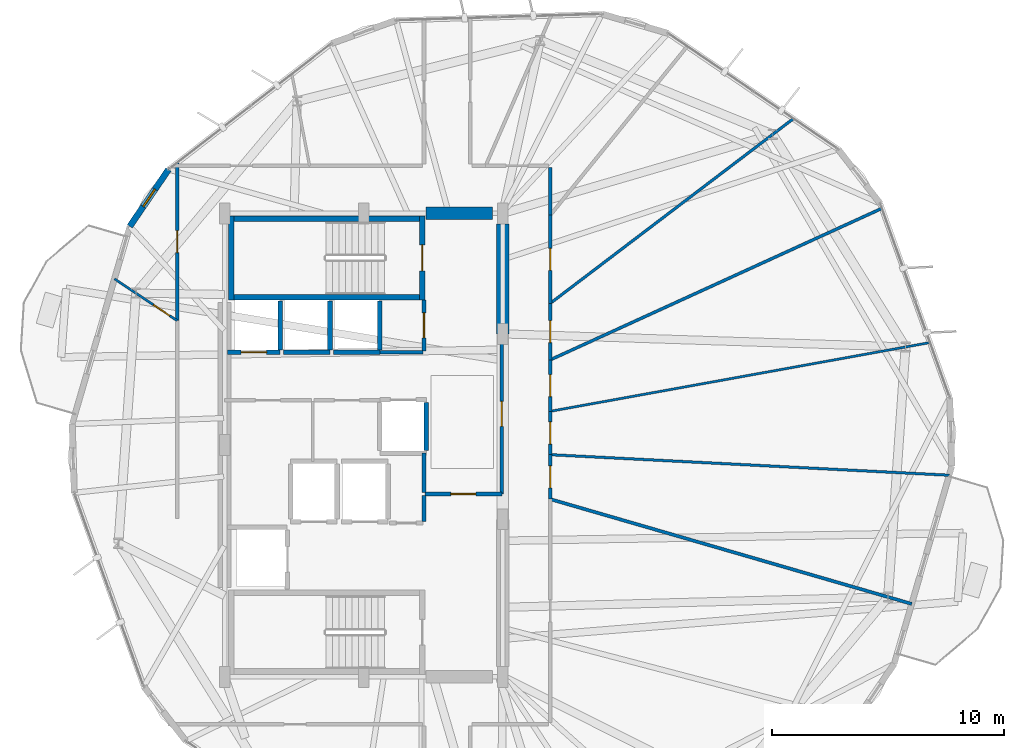
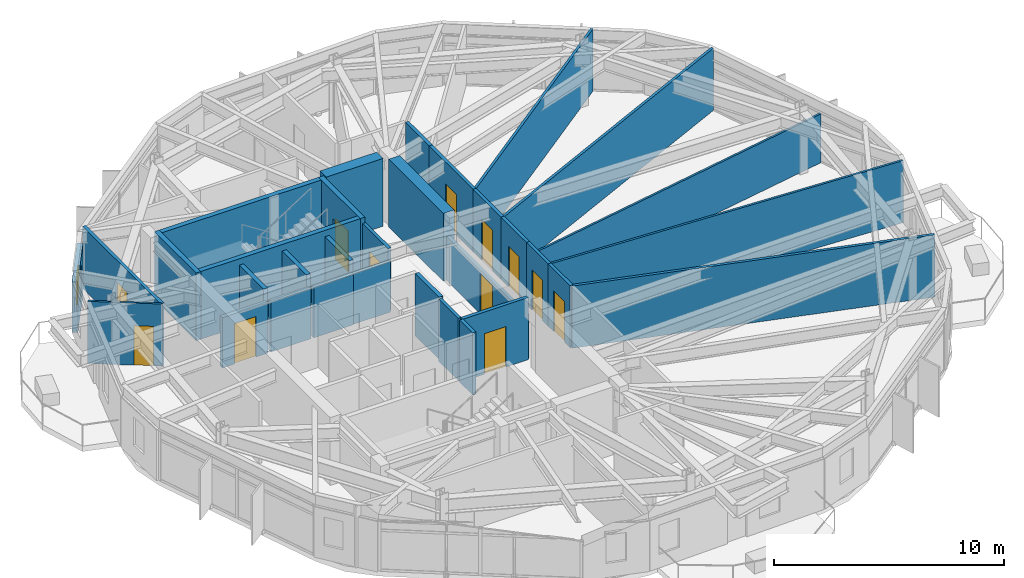
# One storey, part 19 of 23: 33 walls, 12 doors, 1 window, 13 openings.
"""IFC4 building model written with IfcOpenShell, lengths in metres."""

from ifc_helpers import new_model, si_unit, direction, frame, frame_2d, origin, place, context, subcontext, project, spatial, rectangle, extrude, material, layer, layer_set, type_object, element, fill, save


model = new_model("IFC4")

# Units and contexts
model_context = context("Model", 3, precision=1e-05, world=origin(), true_north=direction((0.0, 1.0)))
body_context = subcontext(model_context, "Body", "Model", "MODEL_VIEW")
ifc_project = project(units=[si_unit("LENGTHUNIT", "METRE"), si_unit("AREAUNIT", "SQUARE_METRE"), si_unit("VOLUMEUNIT", "CUBIC_METRE"), si_unit("PLANEANGLEUNIT", "RADIAN"), si_unit("MASSUNIT", "GRAM", prefix="KILO")], contexts=[model_context])

# Site, building, storey
site_placement = place(None, origin())
site = spatial("IfcSite", under=ifc_project, at=site_placement, CompositionType="ELEMENT")
building_placement = place(site_placement, origin())
building = spatial("IfcBuilding", under=site, at=building_placement, Name="Soratama Intermodal Tower", CompositionType="ELEMENT")
storey_placement = place(building_placement, frame((0.0, 0.0, 171.39990234375)))
storey = spatial("IfcBuildingStorey", under=building, at=storey_placement, Name="L42", CompositionType="ELEMENT", Elevation=171.39990234375)

# Wall, opening, window
ifc_material_1 = material(Name="Concrete f'c 42 MPa", Category="concrete")
ifc_layer_1 = layer(ifc_material_1, 0.27001953125)
ifc_layer_set_1 = layer_set([ifc_layer_1], Name="Concrete f'c 42 MPa")
wall_type_1 = type_object("IfcWallType", Name="EW-CRN-270", PredefinedType="SOLIDWALL", material=ifc_layer_set_1)
wall_1_placement = place(storey_placement, frame((30.177978515625, 36.890380859375, 0.0), z_axis=(0.0, 0.0, 1.0), x_axis=(-0.563009904687, -0.826450148058, 0.0)))
wall_1 = element("IfcWall", 1, at=wall_1_placement, inside=storey, type_object=wall_type_1, Name="L42 Corner Closure Wall 03", PredefinedType="SOLIDWALL", context=body_context, shape_type="SweptSolid", body=[
    extrude(rectangle(XDim=2.966552734375, YDim=0.27001953125, at=frame_2d((1.4833984375, 0.0))), origin(), (0.0, 0.0, 1.0), 2.67919921875),
])
opening_1_placement = place(wall_1_placement, frame((1.033203125, 0.0, 0.75)))
opening_1 = element("IfcOpeningElement", 2, at=opening_1_placement, cuts=wall_1, Name="Opening WN-6", PredefinedType="OPENING", context=body_context, shape_type="SweptSolid", body=[
    extrude(rectangle(XDim=0.89990234375, YDim=1.5, at=frame_2d((0.449951171875, 0.75))), frame((0.0, 0.14501953125, 0.0), z_axis=(0.0, -1.0, 0.0), x_axis=(1.0, 0.0, 0.0)), (0.0, 0.0, 1.0), 0.2900390625),
])
ifc_material_2 = material(Name="Double-glazed aluminium window", Category="aluminium")
window_type = type_object("IfcWindowType", Name="WN-FAC-900", PartitioningType="SINGLE_PANEL", PredefinedType="WINDOW", material=ifc_material_2)
window_placement = place(opening_1_placement, origin())
window = element("IfcWindow", 3, at=window_placement, inside=storey, type_object=window_type, Name="L42 Corner Window 03", OverallHeight=1.5, OverallWidth=0.89990234375, PartitioningType="SINGLE_PANEL", PredefinedType="WINDOW", context=body_context, shape_type="SweptSolid", body=[
    extrude(rectangle(XDim=0.89990234375, YDim=1.5, at=frame_2d((0.449951171875, 0.75))), frame((0.0, 0.030029296875, 0.0), z_axis=(0.0, -1.0, 0.0), x_axis=(1.0, 0.0, 0.0)), (0.0, 0.0, 1.0), 0.06005859375),
])
fill(opening_1, window)

# Wall, opening, door
ifc_material_3 = material(Name="Fire-rated gypsum stud partition", Category="concrete")
ifc_layer_2 = layer(ifc_material_3, 0.159912109375)
ifc_layer_set_2 = layer_set([ifc_layer_2], Name="Fire-rated gypsum stud partition")
wall_type_2 = type_object("IfcWallType", Name="IW-PART-R160", PredefinedType="PARTITIONING", material=ifc_layer_set_2)
wall_2_placement = place(storey_placement, frame((44.56005859375, 29.800048828125, 0.0), z_axis=(0.0, 0.0, 1.0), x_axis=(0.0, -1.0, 0.0)))
wall_2 = element("IfcWall", 4, at=wall_2_placement, inside=storey, type_object=wall_type_2, Name="L42 Partition W-L42-TP010", PredefinedType="PARTITIONING", context=body_context, shape_type="SweptSolid", body=[
    extrude(rectangle(XDim=6.91015625, YDim=0.159912109375, at=frame_2d((3.455078125, 0.0))), origin(), (0.0, 0.0, 1.0), 2.340087890625),
])
opening_2_placement = place(wall_2_placement, frame((2.9150390625, 0.0, 0.0)))
opening_2 = element("IfcOpeningElement", 5, at=opening_2_placement, cuts=wall_2, Name="Opening ID-1", PredefinedType="OPENING", context=body_context, shape_type="SweptSolid", body=[
    extrude(rectangle(XDim=1.080078125, YDim=2.14990234375, at=frame_2d((0.5400390625, 1.074951171875))), frame((0.0, 0.08984375, 0.0), z_axis=(0.0, -1.0, 0.0), x_axis=(1.0, 0.0, 0.0)), (0.0, 0.0, 1.0), 0.179931640625),
])
ifc_material_4 = material(Name="Solid hardwood acoustic door", Category="wood")
door_type_1 = type_object("IfcDoorType", Name="DR-LOB-FD60", OperationType="NOTDEFINED", PredefinedType="DOOR", material=ifc_material_4)
door_1_placement = place(opening_2_placement, origin())
door_1 = element("IfcDoor", 6, at=door_1_placement, inside=storey, type_object=door_type_1, Name="L42 Door D-L42-TP003", OperationType="SINGLE_SWING_RIGHT", OverallHeight=2.14990234375, OverallWidth=1.080078125, PredefinedType="DOOR", context=body_context, shape_type="SweptSolid", body=[
    extrude(rectangle(XDim=1.080078125, YDim=2.14990234375, at=frame_2d((0.5400390625, 1.074951171875))), frame((0.0, 0.02490234375, 0.0), z_axis=(0.0, -1.0, 0.0), x_axis=(1.0, 0.0, 0.0)), (0.0, 0.0, 1.0), 0.050048828125),
])
fill(opening_2, door_1)

wall_3_placement = place(storey_placement, frame((30.550048828125, 30.3701171875, 0.0), z_axis=(0.0, 0.0, 1.0), x_axis=(0.0, 1.0, 0.0)))
wall_3 = element("IfcWall", 7, at=wall_3_placement, inside=storey, type_object=wall_type_2, Name="L42 Partition W-L42-TP011", PredefinedType="PARTITIONING", context=body_context, shape_type="SweptSolid", body=[
    extrude(rectangle(XDim=6.808837890625, YDim=0.159912109375, at=frame_2d((3.404296875, 0.0))), origin(), (0.0, 0.0, 1.0), 3.300048828125),
])
opening_3_placement = place(wall_3_placement, frame((2.929931640625, 0.0, 0.0)))
opening_3 = element("IfcOpeningElement", 8, at=opening_3_placement, cuts=wall_3, Name="Opening ID-3", PredefinedType="OPENING", context=body_context, shape_type="SweptSolid", body=[
    extrude(rectangle(XDim=0.949951171875, YDim=2.14990234375, at=frame_2d((0.47509765625, 1.074951171875))), frame((0.0, 0.08984375, 0.0), z_axis=(0.0, -1.0, 0.0), x_axis=(1.0, 0.0, 0.0)), (0.0, 0.0, 1.0), 0.179931640625),
])
ifc_material_5 = material(Name="Solid hardwood acoustic door", Category="wood")
door_type_2 = type_object("IfcDoorType", Name="DR-ROOM-950", OperationType="NOTDEFINED", PredefinedType="DOOR", material=ifc_material_5)
door_2_placement = place(opening_3_placement, origin())
door_2 = element("IfcDoor", 9, at=door_2_placement, inside=storey, type_object=door_type_2, Name="L42 Door D-L42-TP004", OperationType="SINGLE_SWING_LEFT", OverallHeight=2.14990234375, OverallWidth=0.949951171875, PredefinedType="DOOR", context=body_context, shape_type="SweptSolid", body=[
    extrude(rectangle(XDim=0.949951171875, YDim=2.14990234375, at=frame_2d((0.47509765625, 1.074951171875))), frame((0.0, 0.02490234375, 0.0), z_axis=(0.0, -1.0, 0.0), x_axis=(1.0, 0.0, 0.0)), (0.0, 0.0, 1.0), 0.050048828125),
])
fill(opening_3, door_2)

wall_4_placement = place(storey_placement, frame((46.64990234375, 34.9208984375, 0.0), z_axis=(0.0, 0.0, 1.0), x_axis=(0.0, -1.0, 0.0)))
wall_4 = element("IfcWall", 10, at=wall_4_placement, inside=storey, type_object=wall_type_2, Name="L42 Partition W-L42-TP018", PredefinedType="PARTITIONING", context=body_context, shape_type="SweptSolid", body=[
    extrude(rectangle(XDim=3.805908203125, YDim=0.159912109375, at=frame_2d((1.90283203125, 0.0))), origin(), (0.0, 0.0, 1.0), 3.300048828125),
])
opening_4_placement = place(wall_4_placement, frame((1.427978515625, 0.0, 0.0)))
opening_4 = element("IfcOpeningElement", 11, at=opening_4_placement, cuts=wall_4, Name="Opening ID-3", PredefinedType="OPENING", context=body_context, shape_type="SweptSolid", body=[
    extrude(rectangle(XDim=0.949951171875, YDim=2.14990234375, at=frame_2d((0.47509765625, 1.074951171875))), frame((0.0, 0.08984375, 0.0), z_axis=(0.0, -1.0, 0.0), x_axis=(1.0, 0.0, 0.0)), (0.0, 0.0, 1.0), 0.179931640625),
])
door_3_placement = place(opening_4_placement, origin())
door_3 = element("IfcDoor", 12, at=door_3_placement, inside=storey, type_object=door_type_2, Name="L42 Door D-L42-TP008", OperationType="SINGLE_SWING_LEFT", OverallHeight=2.14990234375, OverallWidth=0.949951171875, PredefinedType="DOOR", context=body_context, shape_type="SweptSolid", body=[
    extrude(rectangle(XDim=0.949951171875, YDim=2.14990234375, at=frame_2d((0.47509765625, 1.074951171875))), frame((0.0, 0.02490234375, 0.0), z_axis=(0.0, -1.0, 0.0), x_axis=(1.0, 0.0, 0.0)), (0.0, 0.0, 1.0), 0.050048828125),
])
fill(opening_4, door_3)

wall_5_placement = place(storey_placement, frame((46.64990234375, 31.114990234375, 0.0), z_axis=(0.0, 0.0, 1.0), x_axis=(0.0, -1.0, 0.0)))
wall_5 = element("IfcWall", 13, at=wall_5_placement, inside=storey, type_object=wall_type_2, Name="L42 Partition W-L42-TP026", PredefinedType="PARTITIONING", context=body_context, shape_type="SweptSolid", body=[
    extrude(rectangle(XDim=2.43798828125, YDim=0.159912109375, at=frame_2d((1.218994140625, 0.0))), origin(), (0.0, 0.0, 1.0), 3.300048828125),
])
opening_5_placement = place(wall_5_placement, frame((0.743896484375, 0.0, 0.0)))
opening_5 = element("IfcOpeningElement", 14, at=opening_5_placement, cuts=wall_5, Name="Opening ID-3", PredefinedType="OPENING", context=body_context, shape_type="SweptSolid", body=[
    extrude(rectangle(XDim=0.949951171875, YDim=2.14990234375, at=frame_2d((0.47509765625, 1.074951171875))), frame((0.0, 0.08984375, 0.0), z_axis=(0.0, -1.0, 0.0), x_axis=(1.0, 0.0, 0.0)), (0.0, 0.0, 1.0), 0.179931640625),
])
door_4_placement = place(opening_5_placement, origin())
door_4 = element("IfcDoor", 15, at=door_4_placement, inside=storey, type_object=door_type_2, Name="L42 Door D-L42-TP013", OperationType="SINGLE_SWING_RIGHT", OverallHeight=2.14990234375, OverallWidth=0.949951171875, PredefinedType="DOOR", context=body_context, shape_type="SweptSolid", body=[
    extrude(rectangle(XDim=0.949951171875, YDim=2.14990234375, at=frame_2d((0.47509765625, 1.074951171875))), frame((0.0, 0.02490234375, 0.0), z_axis=(0.0, -1.0, 0.0), x_axis=(1.0, 0.0, 0.0)), (0.0, 0.0, 1.0), 0.050048828125),
])
fill(opening_5, door_4)

wall_6_placement = place(storey_placement, frame((46.64990234375, 28.677001953125, 0.0), z_axis=(0.0, 0.0, 1.0), x_axis=(0.0, -1.0, 0.0)))
wall_6 = element("IfcWall", 16, at=wall_6_placement, inside=storey, type_object=wall_type_2, Name="L42 Partition W-L42-TP027", PredefinedType="PARTITIONING", context=body_context, shape_type="SweptSolid", body=[
    extrude(rectangle(XDim=2.218994140625, YDim=0.159912109375, at=frame_2d((1.109375, 0.0))), origin(), (0.0, 0.0, 1.0), 3.300048828125),
])
opening_6_placement = place(wall_6_placement, frame((0.635009765625, 0.0, 0.0)))
opening_6 = element("IfcOpeningElement", 17, at=opening_6_placement, cuts=wall_6, Name="Opening ID-3", PredefinedType="OPENING", context=body_context, shape_type="SweptSolid", body=[
    extrude(rectangle(XDim=0.949951171875, YDim=2.14990234375, at=frame_2d((0.47509765625, 1.074951171875))), frame((0.0, 0.08984375, 0.0), z_axis=(0.0, -1.0, 0.0), x_axis=(1.0, 0.0, 0.0)), (0.0, 0.0, 1.0), 0.179931640625),
])
door_5_placement = place(opening_6_placement, origin())
door_5 = element("IfcDoor", 18, at=door_5_placement, inside=storey, type_object=door_type_2, Name="L42 Door D-L42-TP014", OperationType="SINGLE_SWING_LEFT", OverallHeight=2.14990234375, OverallWidth=0.949951171875, PredefinedType="DOOR", context=body_context, shape_type="SweptSolid", body=[
    extrude(rectangle(XDim=0.949951171875, YDim=2.14990234375, at=frame_2d((0.47509765625, 1.074951171875))), frame((0.0, 0.02490234375, 0.0), z_axis=(0.0, -1.0, 0.0), x_axis=(1.0, 0.0, 0.0)), (0.0, 0.0, 1.0), 0.050048828125),
])
fill(opening_6, door_5)

wall_7_placement = place(storey_placement, frame((41.199951171875, 29.070068359375, 0.0), z_axis=(0.0, 0.0, 1.0), x_axis=(0.0, 1.0, 0.0)))
wall_7 = element("IfcWall", 19, at=wall_7_placement, inside=storey, type_object=wall_type_2, Name="L42 Partition W-L42-TP028", PredefinedType="PARTITIONING", context=body_context, shape_type="SweptSolid", body=[
    extrude(rectangle(XDim=2.18994140625, YDim=0.159912109375, at=frame_2d((1.094970703125, 0.0))), origin(), (0.0, 0.0, 1.0), 3.300048828125),
])
opening_7_placement = place(wall_7_placement, frame((0.554931640625, 0.0, 0.0)))
opening_7 = element("IfcOpeningElement", 20, at=opening_7_placement, cuts=wall_7, Name="Opening ID-1", PredefinedType="OPENING", context=body_context, shape_type="SweptSolid", body=[
    extrude(rectangle(XDim=1.080078125, YDim=2.14990234375, at=frame_2d((0.5400390625, 1.074951171875))), frame((0.0, 0.08984375, 0.0), z_axis=(0.0, -1.0, 0.0), x_axis=(1.0, 0.0, 0.0)), (0.0, 0.0, 1.0), 0.179931640625),
])
door_6_placement = place(opening_7_placement, origin())
door_6 = element("IfcDoor", 21, at=door_6_placement, inside=storey, type_object=door_type_1, Name="L42 Door D-L42-TP015", OperationType="SINGLE_SWING_RIGHT", OverallHeight=2.14990234375, OverallWidth=1.080078125, PredefinedType="DOOR", context=body_context, shape_type="SweptSolid", body=[
    extrude(rectangle(XDim=1.080078125, YDim=2.14990234375, at=frame_2d((0.5400390625, 1.074951171875))), frame((0.0, 0.02490234375, 0.0), z_axis=(0.0, -1.0, 0.0), x_axis=(1.0, 0.0, 0.0)), (0.0, 0.0, 1.0), 0.050048828125),
])
fill(opening_7, door_6)

# Wall
wall_8_placement = place(storey_placement, frame((46.64990234375, 36.97998046875, 0.0), z_axis=(0.0, 0.0, 1.0), x_axis=(0.0, -1.0, 0.0)))
element("IfcWall", 22, at=wall_8_placement, inside=storey, type_object=wall_type_2, Name="L42 Partition W-L42-TP029", PredefinedType="PARTITIONING", context=body_context, shape_type="SweptSolid", body=[
    extrude(rectangle(XDim=2.05908203125, YDim=0.159912109375, at=frame_2d((1.029541015625, 0.0))), origin(), (0.0, 0.0, 1.0), 3.300048828125),
])

# Wall, opening, door
wall_9_placement = place(storey_placement, frame((46.64990234375, 24.5859375, 0.0), z_axis=(0.0, 0.0, 1.0), x_axis=(0.0, -1.0, 0.0)))
wall_9 = element("IfcWall", 23, at=wall_9_placement, inside=storey, type_object=wall_type_2, Name="L42 Partition W-L42-TP030", PredefinedType="PARTITIONING", context=body_context, shape_type="SweptSolid", body=[
    extrude(rectangle(XDim=1.91796875, YDim=0.159912109375, at=frame_2d((0.958984375, 0.0))), origin(), (0.0, 0.0, 1.0), 3.300048828125),
])
opening_8_placement = place(wall_9_placement, frame((0.48388671875, 0.0, 0.0)))
opening_8 = element("IfcOpeningElement", 24, at=opening_8_placement, cuts=wall_9, Name="Opening ID-3", PredefinedType="OPENING", context=body_context, shape_type="SweptSolid", body=[
    extrude(rectangle(XDim=0.949951171875, YDim=2.14990234375, at=frame_2d((0.47509765625, 1.074951171875))), frame((0.0, 0.08984375, 0.0), z_axis=(0.0, -1.0, 0.0), x_axis=(1.0, 0.0, 0.0)), (0.0, 0.0, 1.0), 0.179931640625),
])
door_7_placement = place(opening_8_placement, origin())
door_7 = element("IfcDoor", 25, at=door_7_placement, inside=storey, type_object=door_type_2, Name="L42 Door D-L42-TP016", OperationType="SINGLE_SWING_LEFT", OverallHeight=2.14990234375, OverallWidth=0.949951171875, PredefinedType="DOOR", context=body_context, shape_type="SweptSolid", body=[
    extrude(rectangle(XDim=0.949951171875, YDim=2.14990234375, at=frame_2d((0.47509765625, 1.074951171875))), frame((0.0, 0.02490234375, 0.0), z_axis=(0.0, -1.0, 0.0), x_axis=(1.0, 0.0, 0.0)), (0.0, 0.0, 1.0), 0.050048828125),
])
fill(opening_8, door_7)

wall_10_placement = place(storey_placement, frame((46.64990234375, 26.4580078125, 0.0), z_axis=(0.0, 0.0, 1.0), x_axis=(0.0, -1.0, 0.0)))
wall_10 = element("IfcWall", 26, at=wall_10_placement, inside=storey, type_object=wall_type_2, Name="L42 Partition W-L42-TP031", PredefinedType="PARTITIONING", context=body_context, shape_type="SweptSolid", body=[
    extrude(rectangle(XDim=1.8720703125, YDim=0.159912109375, at=frame_2d((0.93603515625, 0.0))), origin(), (0.0, 0.0, 1.0), 3.300048828125),
])
opening_9_placement = place(wall_10_placement, frame((0.4609375, 0.0, 0.0)))
opening_9 = element("IfcOpeningElement", 27, at=opening_9_placement, cuts=wall_10, Name="Opening ID-3", PredefinedType="OPENING", context=body_context, shape_type="SweptSolid", body=[
    extrude(rectangle(XDim=0.949951171875, YDim=2.14990234375, at=frame_2d((0.47509765625, 1.074951171875))), frame((0.0, 0.08984375, 0.0), z_axis=(0.0, -1.0, 0.0), x_axis=(1.0, 0.0, 0.0)), (0.0, 0.0, 1.0), 0.179931640625),
])
door_8_placement = place(opening_9_placement, origin())
door_8 = element("IfcDoor", 28, at=door_8_placement, inside=storey, type_object=door_type_2, Name="L42 Door D-L42-TP017", OperationType="SINGLE_SWING_RIGHT", OverallHeight=2.14990234375, OverallWidth=0.949951171875, PredefinedType="DOOR", context=body_context, shape_type="SweptSolid", body=[
    extrude(rectangle(XDim=0.949951171875, YDim=2.14990234375, at=frame_2d((0.47509765625, 1.074951171875))), frame((0.0, 0.02490234375, 0.0), z_axis=(0.0, -1.0, 0.0), x_axis=(1.0, 0.0, 0.0)), (0.0, 0.0, 1.0), 0.050048828125),
])
fill(opening_9, door_8)

# Walls
wall_11_placement = place(storey_placement, frame((39.300048828125, 29.010009765625, 0.0), z_axis=(0.0, 0.0, 1.0), x_axis=(1.0, 0.0, 0.0)))
element("IfcWall", 29, at=wall_11_placement, inside=storey, type_object=wall_type_2, Name="L42 Partition W-L42-TP032", PredefinedType="PARTITIONING", context=body_context, shape_type="SweptSolid", body=[
    extrude(rectangle(XDim=1.85986328125, YDim=0.159912109375, at=frame_2d((0.929931640625, 0.0))), origin(), (0.0, 0.0, 1.0), 2.674072265625),
])
wall_12_placement = place(storey_placement, frame((41.199951171875, 22.9599609375, 0.0), z_axis=(0.0, 0.0, 1.0), x_axis=(0.0, 1.0, 0.0)))
element("IfcWall", 30, at=wall_12_placement, inside=storey, type_object=wall_type_2, Name="L42 Partition W-L42-TP033", PredefinedType="PARTITIONING", context=body_context, shape_type="SweptSolid", body=[
    extrude(rectangle(XDim=1.68994140625, YDim=0.159912109375, at=frame_2d((0.844970703125, 0.0))), origin(), (0.0, 0.0, 1.0), 3.300048828125),
])

# Wall, opening, door
ifc_material_6 = material(Name="Fire-rated gypsum stud partition", Category="concrete")
ifc_layer_3 = layer(ifc_material_6, 0.169921875)
ifc_layer_set_3 = layer_set([ifc_layer_3], Name="Fire-rated gypsum stud partition")
wall_type_3 = type_object("IfcWallType", Name="IW-PART-R170", PredefinedType="PARTITIONING", material=ifc_layer_set_3)
wall_13_placement = place(storey_placement, frame((41.239990234375, 22.889892578125, 0.0), z_axis=(0.0, 0.0, 1.0), x_axis=(1.0, 0.0, 0.0)))
wall_13 = element("IfcWall", 31, at=wall_13_placement, inside=storey, type_object=wall_type_3, Name="L42 Partition W-L42-TP020", PredefinedType="PARTITIONING", context=body_context, shape_type="SweptSolid", body=[
    extrude(rectangle(XDim=3.320068359375, YDim=0.169921875, at=frame_2d((1.66015625, 0.0))), origin(), (0.0, 0.0, 1.0), 3.300048828125),
])
opening_10_placement = place(wall_13_placement, frame((1.1201171875, 0.0, 0.0)))
opening_10 = element("IfcOpeningElement", 32, at=opening_10_placement, cuts=wall_13, Name="Opening ID-0", PredefinedType="OPENING", context=body_context, shape_type="SweptSolid", body=[
    extrude(rectangle(XDim=1.080078125, YDim=2.14990234375, at=frame_2d((0.5400390625, 1.074951171875))), frame((0.0, 0.094970703125, 0.0), z_axis=(0.0, -1.0, 0.0), x_axis=(1.0, 0.0, 0.0)), (0.0, 0.0, 1.0), 0.18994140625),
])
ifc_material_7 = material(Name="Solid hardwood acoustic door", Category="wood")
door_type_3 = type_object("IfcDoorType", Name="DR-LOB-FD90", OperationType="NOTDEFINED", PredefinedType="DOOR", material=ifc_material_7)
door_9_placement = place(opening_10_placement, origin())
door_9 = element("IfcDoor", 33, at=door_9_placement, inside=storey, type_object=door_type_3, Name="L42 Door D-L42-TP010", OperationType="SINGLE_SWING_LEFT", OverallHeight=2.14990234375, OverallWidth=1.080078125, PredefinedType="DOOR", context=body_context, shape_type="SweptSolid", body=[
    extrude(rectangle(XDim=1.080078125, YDim=2.14990234375, at=frame_2d((0.5400390625, 1.074951171875))), frame((0.0, 0.02490234375, 0.0), z_axis=(0.0, -1.0, 0.0), x_axis=(1.0, 0.0, 0.0)), (0.0, 0.0, 1.0), 0.050048828125),
])
fill(opening_10, door_9)

# Walls
wall_14_placement = place(storey_placement, frame((41.199951171875, 21.699951171875, 0.0), z_axis=(0.0, 0.0, 1.0), x_axis=(0.0, 1.0, 0.0)))
element("IfcWall", 34, at=wall_14_placement, inside=storey, type_object=wall_type_3, Name="L42 Partition W-L42-TP035", PredefinedType="PARTITIONING", context=body_context, shape_type="SweptSolid", body=[
    extrude(rectangle(XDim=1.1201171875, YDim=0.169921875, at=frame_2d((0.56005859375, 0.0))), origin(), (0.0, 0.0, 1.0), 3.300048828125),
])
ifc_material_8 = material(Name="Fire-rated gypsum stud partition", Category="concrete")
ifc_layer_4 = layer(ifc_material_8, 0.10009765625)
ifc_layer_set_4 = layer_set([ifc_layer_4], Name="Fire-rated gypsum stud partition")
wall_type_4 = type_object("IfcWallType", Name="IW-PART-S100", PredefinedType="PARTITIONING", material=ifc_layer_set_4)
wall_15_placement = place(storey_placement, frame((46.64990234375, 26.4580078125, 0.0), z_axis=(0.0, 0.0, 1.0), x_axis=(0.984008673772, 0.178120548904, 0.0)))
element("IfcWall", 35, at=wall_15_placement, inside=storey, type_object=wall_type_4, Name="L42 Partition W-L42-TP002", PredefinedType="PARTITIONING", context=body_context, shape_type="SweptSolid", body=[
    extrude(rectangle(XDim=16.657470703125, YDim=0.10009765625, at=frame_2d((8.32861328125, 0.0))), origin(), (0.0, 0.0, 1.0), 2.59521484375),
])

# Wall, opening, door
wall_16_placement = place(storey_placement, frame((30.550048828125, 30.3701171875, 0.0), z_axis=(0.0, 0.0, 1.0), x_axis=(-0.831784371752, 0.555098873092, 0.0)))
wall_16 = element("IfcWall", 36, at=wall_16_placement, inside=storey, type_object=wall_type_4, Name="L42 Partition W-L42-TP022", PredefinedType="PARTITIONING", context=body_context, shape_type="SweptSolid", body=[
    extrude(rectangle(XDim=3.249755859375, YDim=0.10009765625, at=frame_2d((1.625, 0.0))), origin(), (0.0, 0.0, 1.0), 3.300048828125),
])
opening_11_placement = place(wall_16_placement, frame((0.386962890625, 0.0, 0.0)))
opening_11 = element("IfcOpeningElement", 37, at=opening_11_placement, cuts=wall_16, Name="Opening ID-4", PredefinedType="OPENING", context=body_context, shape_type="SweptSolid", body=[
    extrude(rectangle(XDim=0.85009765625, YDim=2.10009765625, at=frame_2d((0.425048828125, 1.050048828125))), frame((0.0, 0.06005859375, 0.0), z_axis=(0.0, -1.0, 0.0), x_axis=(1.0, 0.0, 0.0)), (0.0, 0.0, 1.0), 0.1201171875),
])
ifc_material_9 = material(Name="Solid hardwood acoustic door", Category="wood")
door_type_4 = type_object("IfcDoorType", Name="DR-BATH-850", OperationType="NOTDEFINED", PredefinedType="DOOR", material=ifc_material_9)
door_10_placement = place(opening_11_placement, origin())
door_10 = element("IfcDoor", 38, at=door_10_placement, inside=storey, type_object=door_type_4, Name="L42 Door D-L42-TP019", OperationType="SINGLE_SWING_LEFT", OverallHeight=2.10009765625, OverallWidth=0.85009765625, PredefinedType="DOOR", context=body_context, shape_type="SweptSolid", body=[
    extrude(rectangle(XDim=0.85009765625, YDim=2.10009765625, at=frame_2d((0.425048828125, 1.050048828125))), frame((0.0, 0.02490234375, 0.0), z_axis=(0.0, -1.0, 0.0), x_axis=(1.0, 0.0, 0.0)), (0.0, 0.0, 1.0), 0.050048828125),
])
fill(opening_11, door_10)

# Walls
ifc_material_10 = material(Name="Fire-rated gypsum stud partition", Category="concrete")
ifc_layer_5 = layer(ifc_material_10, 0.110107421875)
ifc_layer_set_5 = layer_set([ifc_layer_5], Name="Fire-rated gypsum stud partition")
wall_type_5 = type_object("IfcWallType", Name="IW-PART-S110", PredefinedType="PARTITIONING", material=ifc_layer_set_5)
wall_17_placement = place(storey_placement, frame((63.865966796875, 23.698974609375, 0.0), z_axis=(0.0, 0.0, 1.0), x_axis=(-0.998675507062, 0.051451254551, 0.0)))
element("IfcWall", 39, at=wall_17_placement, inside=storey, type_object=wall_type_5, Name="L42 Partition W-L42-TP001", PredefinedType="PARTITIONING", context=body_context, shape_type="SweptSolid", body=[
    extrude(rectangle(XDim=17.239013671875, YDim=0.110107421875, at=frame_2d((8.61962890625, 0.0))), origin(), (0.0, 0.0, 1.0), 3.300048828125),
])
ifc_material_11 = material(Name="Fire-rated gypsum stud partition", Category="concrete")
ifc_layer_6 = layer(ifc_material_11, 0.1201171875)
ifc_layer_set_6 = layer_set([ifc_layer_6], Name="Fire-rated gypsum stud partition")
wall_type_6 = type_object("IfcWallType", Name="IW-PART-S120", PredefinedType="PARTITIONING", material=ifc_layer_set_6)
wall_18_placement = place(storey_placement, frame((46.64990234375, 31.114990234375, 0.0), z_axis=(0.0, 0.0, 1.0), x_axis=(0.79632035824, 0.604875100375, 0.0)))
element("IfcWall", 40, at=wall_18_placement, inside=storey, type_object=wall_type_6, Name="L42 Partition W-L42-TP005", PredefinedType="PARTITIONING", context=body_context, shape_type="SweptSolid", body=[
    extrude(rectangle(XDim=13.174560546875, YDim=0.1201171875, at=frame_2d((6.58740234375, 0.0))), origin(), (0.0, 0.0, 1.0), 3.300048828125),
])
ifc_material_12 = material(Name="Fire-rated gypsum stud partition", Category="concrete")
ifc_layer_7 = layer(ifc_material_12, 0.1298828125)
ifc_layer_set_7 = layer_set([ifc_layer_7], Name="Fire-rated gypsum stud partition")
wall_type_7 = type_object("IfcWallType", Name="IW-PART-S130", PredefinedType="PARTITIONING", material=ifc_layer_set_7)
wall_19_placement = place(storey_placement, frame((46.64990234375, 28.677001953125, 0.0), z_axis=(0.0, 0.0, 1.0), x_axis=(0.909594452682, 0.41549721016, 0.0)))
element("IfcWall", 41, at=wall_19_placement, inside=storey, type_object=wall_type_7, Name="L42 Partition W-L42-TP004", PredefinedType="PARTITIONING", context=body_context, shape_type="SweptSolid", body=[
    extrude(rectangle(XDim=15.735595703125, YDim=0.1298828125, at=frame_2d((7.86767578125, 0.0))), origin(), (0.0, 0.0, 1.0), 3.300048828125),
])
ifc_material_13 = material(Name="Fire-rated gypsum stud partition", Category="concrete")
ifc_layer_8 = layer(ifc_material_13, 0.139892578125)
ifc_layer_set_8 = layer_set([ifc_layer_8], Name="Fire-rated gypsum stud partition")
wall_type_8 = type_object("IfcWallType", Name="IW-PART-S140", PredefinedType="PARTITIONING", material=ifc_layer_set_8)
wall_20_placement = place(storey_placement, frame((46.64990234375, 22.66796875, 0.0), z_axis=(0.0, 0.0, 1.0), x_axis=(0.960481163068, -0.278344993473, 0.0)))
element("IfcWall", 42, at=wall_20_placement, inside=storey, type_object=wall_type_8, Name="L42 Partition W-L42-TP003", PredefinedType="PARTITIONING", context=body_context, shape_type="SweptSolid", body=[
    extrude(rectangle(XDim=16.239013671875, YDim=0.139892578125, at=frame_2d((8.11962890625, 0.0))), origin(), (0.0, 0.0, 1.0), 3.300048828125),
])
ifc_material_14 = material(Name="Concrete f'c 42 MPa", Category="concrete")
ifc_layer_9 = layer(ifc_material_14, 0.199951171875)
ifc_layer_set_9 = layer_set([ifc_layer_9], Name="Concrete f'c 42 MPa")
wall_type_9 = type_object("IfcWallType", Name="IW-SHAFT-200", PredefinedType="SOLIDWALL", material=ifc_layer_set_9)
wall_21_placement = place(storey_placement, frame((41.300048828125, 24.760009765625, 0.0), z_axis=(0.0, 0.0, 1.0), x_axis=(0.0, 1.0, 0.0)))
element("IfcWall", 43, at=wall_21_placement, inside=storey, type_object=wall_type_9, Name="L42 PL-M1 Hoistway Wall E", PredefinedType="SOLIDWALL", context=body_context, shape_type="SweptSolid", body=[
    extrude(rectangle(XDim=2.080078125, YDim=0.199951171875, at=frame_2d((1.0400390625, 0.0))), origin(), (0.0, 0.0, 1.0), 3.300048828125),
])

# Wall, opening, door
wall_22_placement = place(storey_placement, frame((32.719970703125, 29.0, 0.0), z_axis=(0.0, 0.0, 1.0), x_axis=(1.0, 0.0, 0.0)))
wall_22 = element("IfcWall", 44, at=wall_22_placement, inside=storey, type_object=wall_type_9, Name="L42 PL-M2 Hoistway Wall S", PredefinedType="SOLIDWALL", context=body_context, shape_type="SweptSolid", body=[
    extrude(rectangle(XDim=2.280029296875, YDim=0.199951171875, at=frame_2d((1.14013671875, 0.0))), origin(), (0.0, 0.0, 1.0), 2.674072265625),
])
opening_12_placement = place(wall_22_placement, frame((0.590087890625, 0.0, 0.0)))
opening_12 = element("IfcOpeningElement", 45, at=opening_12_placement, cuts=wall_22, Name="Opening LD-1", PredefinedType="OPENING", context=body_context, shape_type="SweptSolid", body=[
    extrude(rectangle(XDim=1.10009765625, YDim=2.14990234375, at=frame_2d((0.550048828125, 1.074951171875))), frame((0.0, 0.10986328125, 0.0), z_axis=(0.0, -1.0, 0.0), x_axis=(1.0, 0.0, 0.0)), (0.0, 0.0, 1.0), 0.219970703125),
])
ifc_material_15 = material(Name="Steel fire door", Category="steel")
door_type_5 = type_object("IfcDoorType", Name="DR-LIFT-SLIDE", OperationType="NOTDEFINED", PredefinedType="DOOR", material=ifc_material_15)
door_11_placement = place(opening_12_placement, origin())
door_11 = element("IfcDoor", 46, at=door_11_placement, inside=storey, type_object=door_type_5, Name="L42 PL-M2 Sliding Landing Door", OperationType="SLIDING_TO_LEFT", OverallHeight=2.14990234375, OverallWidth=1.10009765625, PredefinedType="DOOR", context=body_context, shape_type="SweptSolid", body=[
    extrude(rectangle(XDim=1.10009765625, YDim=2.14990234375, at=frame_2d((0.550048828125, 1.074951171875))), frame((0.0, 0.02490234375, 0.0), z_axis=(0.0, -1.0, 0.0), x_axis=(1.0, 0.0, 0.0)), (0.0, 0.0, 1.0), 0.050048828125),
])
fill(opening_12, door_11)

# Walls
wall_23_placement = place(storey_placement, frame((35.0, 29.110107421875, 0.0), z_axis=(0.0, 0.0, 1.0), x_axis=(0.0, 1.0, 0.0)))
element("IfcWall", 47, at=wall_23_placement, inside=storey, type_object=wall_type_9, Name="L42 PL-M2 Hoistway Wall E", PredefinedType="SOLIDWALL", context=body_context, shape_type="SweptSolid", body=[
    extrude(rectangle(XDim=2.099853515625, YDim=0.199951171875, at=frame_2d((1.0498046875, 0.0))), origin(), (0.0, 0.0, 1.0), 3.300048828125),
])
wall_24_placement = place(storey_placement, frame((35.14990234375, 29.0, 0.0), z_axis=(0.0, 0.0, 1.0), x_axis=(1.0, 0.0, 0.0)))
element("IfcWall", 48, at=wall_24_placement, inside=storey, type_object=wall_type_9, Name="L42 PL-H1 Hoistway Wall S", PredefinedType="SOLIDWALL", context=body_context, shape_type="SweptSolid", body=[
    extrude(rectangle(XDim=2.0, YDim=0.199951171875, at=frame_2d((1.0, 0.0))), origin(), (0.0, 0.0, 1.0), 2.674072265625),
])
wall_25_placement = place(storey_placement, frame((37.14990234375, 29.110107421875, 0.0), z_axis=(0.0, 0.0, 1.0), x_axis=(0.0, 1.0, 0.0)))
element("IfcWall", 49, at=wall_25_placement, inside=storey, type_object=wall_type_9, Name="L42 PL-H1 Hoistway Wall E", PredefinedType="SOLIDWALL", context=body_context, shape_type="SweptSolid", body=[
    extrude(rectangle(XDim=2.099853515625, YDim=0.199951171875, at=frame_2d((1.0498046875, 0.0))), origin(), (0.0, 0.0, 1.0), 3.300048828125),
])
wall_26_placement = place(storey_placement, frame((37.300048828125, 29.0, 0.0), z_axis=(0.0, 0.0, 1.0), x_axis=(1.0, 0.0, 0.0)))
element("IfcWall", 50, at=wall_26_placement, inside=storey, type_object=wall_type_9, Name="L42 PL-H2 Hoistway Wall S", PredefinedType="SOLIDWALL", context=body_context, shape_type="SweptSolid", body=[
    extrude(rectangle(XDim=2.0, YDim=0.199951171875, at=frame_2d((1.0, 0.0))), origin(), (0.0, 0.0, 1.0), 2.674072265625),
])
wall_27_placement = place(storey_placement, frame((39.300048828125, 29.110107421875, 0.0), z_axis=(0.0, 0.0, 1.0), x_axis=(0.0, 1.0, 0.0)))
element("IfcWall", 51, at=wall_27_placement, inside=storey, type_object=wall_type_9, Name="L42 PL-H2 Hoistway Wall E", PredefinedType="SOLIDWALL", context=body_context, shape_type="SweptSolid", body=[
    extrude(rectangle(XDim=2.099853515625, YDim=0.199951171875, at=frame_2d((1.0498046875, 0.0))), origin(), (0.0, 0.0, 1.0), 3.300048828125),
])
ifc_material_16 = material(Name="Concrete f'c 56 MPa", Category="concrete")
ifc_layer_10 = layer(ifc_material_16, 0.550048828125)
ifc_layer_set_10 = layer_set([ifc_layer_10], Name="Concrete f'c 56 MPa")
wall_type_10 = type_object("IfcWallType", Name="SW-CORE-550", PredefinedType="SHEAR", material=ifc_layer_set_10)
wall_28_placement = place(storey_placement, frame((41.300048828125, 35.0, 0.0), z_axis=(0.0, 0.0, 1.0), x_axis=(1.0, 0.0, 0.0)))
element("IfcWall", 52, at=wall_28_placement, inside=storey, type_object=wall_type_10, Name="L42 Core Shear Wall CW-NE", PredefinedType="SHEAR", context=body_context, shape_type="SweptSolid", body=[
    extrude(rectangle(XDim=2.849853515625, YDim=0.550048828125, at=frame_2d((1.4248046875, 0.0))), origin(), (0.0, 0.0, 1.0), 3.60009765625),
])
wall_29_placement = place(storey_placement, frame((44.60009765625, 29.800048828125, 0.0), z_axis=(0.0, 0.0, 1.0), x_axis=(0.0, 1.0, 0.0)))
element("IfcWall", 53, at=wall_29_placement, inside=storey, type_object=wall_type_10, Name="L42 Core Shear Wall CW-EN", PredefinedType="SHEAR", context=body_context, shape_type="SweptSolid", body=[
    extrude(rectangle(XDim=4.75, YDim=0.550048828125, at=frame_2d((2.375, 0.0))), origin(), (0.0, 0.0, 1.0), 3.60009765625),
])
ifc_material_17 = material(Name="Concrete f'c 56 MPa", Category="concrete")
ifc_layer_11 = layer(ifc_material_17, 0.239990234375)
ifc_layer_set_11 = layer_set([ifc_layer_11], Name="Concrete f'c 56 MPa")
wall_type_11 = type_object("IfcWallType", Name="SW-STAIR-240", PredefinedType="SHEAR", material=ifc_layer_set_11)
wall_30_placement = place(storey_placement, frame((32.8798828125, 31.260009765625, 0.0), z_axis=(0.0, 0.0, 1.0), x_axis=(0.0, 1.0, 0.0)))
element("IfcWall", 54, at=wall_30_placement, inside=storey, type_object=wall_type_11, Name="L42 ST-2 Shaft Shear Wall W", PredefinedType="SHEAR", context=body_context, shape_type="SweptSolid", body=[
    extrude(rectangle(XDim=3.6298828125, YDim=0.239990234375, at=frame_2d((1.81494140625, 0.0))), origin(), (0.0, 0.0, 1.0), 3.60009765625),
])

# Wall, opening, door
wall_31_placement = place(storey_placement, frame((41.1201171875, 31.260009765625, 0.0), z_axis=(0.0, 0.0, 1.0), x_axis=(0.0, 1.0, 0.0)))
wall_31 = element("IfcWall", 55, at=wall_31_placement, inside=storey, type_object=wall_type_11, Name="L42 ST-2 Shaft Shear Wall E", PredefinedType="SHEAR", context=body_context, shape_type="SweptSolid", body=[
    extrude(rectangle(XDim=3.6298828125, YDim=0.239990234375, at=frame_2d((1.81494140625, 0.0))), origin(), (0.0, 0.0, 1.0), 3.60009765625),
])
opening_13_placement = place(wall_31_placement, frame((1.2548828125, 0.0, 0.0)))
opening_13 = element("IfcOpeningElement", 56, at=opening_13_placement, cuts=wall_31, Name="Opening SD-1", PredefinedType="OPENING", context=body_context, shape_type="SweptSolid", body=[
    extrude(rectangle(XDim=1.1201171875, YDim=2.14990234375, at=frame_2d((0.56005859375, 1.074951171875))), frame((0.0, 0.1298828125, 0.0), z_axis=(0.0, -1.0, 0.0), x_axis=(1.0, 0.0, 0.0)), (0.0, 0.0, 1.0), 0.260009765625),
])
ifc_material_18 = material(Name="Steel fire door", Category="steel")
door_type_6 = type_object("IfcDoorType", Name="DR-STAIR-FD90", OperationType="NOTDEFINED", PredefinedType="DOOR", material=ifc_material_18)
door_12_placement = place(opening_13_placement, origin())
door_12 = element("IfcDoor", 57, at=door_12_placement, inside=storey, type_object=door_type_6, Name="L42 ST-2 Exit Stair Door", OperationType="SINGLE_SWING_RIGHT", OverallHeight=2.14990234375, OverallWidth=1.1201171875, PredefinedType="DOOR", context=body_context, shape_type="SweptSolid", body=[
    extrude(rectangle(XDim=1.1201171875, YDim=2.14990234375, at=frame_2d((0.56005859375, 1.074951171875))), frame((0.0, 0.02490234375, 0.0), z_axis=(0.0, -1.0, 0.0), x_axis=(1.0, 0.0, 0.0)), (0.0, 0.0, 1.0), 0.050048828125),
])
fill(opening_13, door_12)

# Walls
for number, where, z_axis, x_axis, name in (
    (58, (33.0, 31.3798828125, 0.0), (0.0, 0.0, 1.0), (1.0, 0.0, 0.0), "L42 ST-2 Shaft Shear Wall S"),
    (59, (33.0, 34.77001953125, 0.0), (0.0, 0.0, 1.0), (1.0, 0.0, 0.0), "L42 ST-2 Shaft Shear Wall N"),
):
    element("IfcWall", number, at=place(storey_placement, frame(where, z_axis=z_axis, x_axis=x_axis)), inside=storey, type_object=wall_type_11, Name=name, PredefinedType="SHEAR", context=body_context, shape_type="SweptSolid", body=[
        extrude(rectangle(XDim=8.0, YDim=0.239990234375, at=frame_2d((4.0, 0.0))), origin(), (0.0, 0.0, 1.0), 3.60009765625),
    ])

save(model, "model.ifc")
